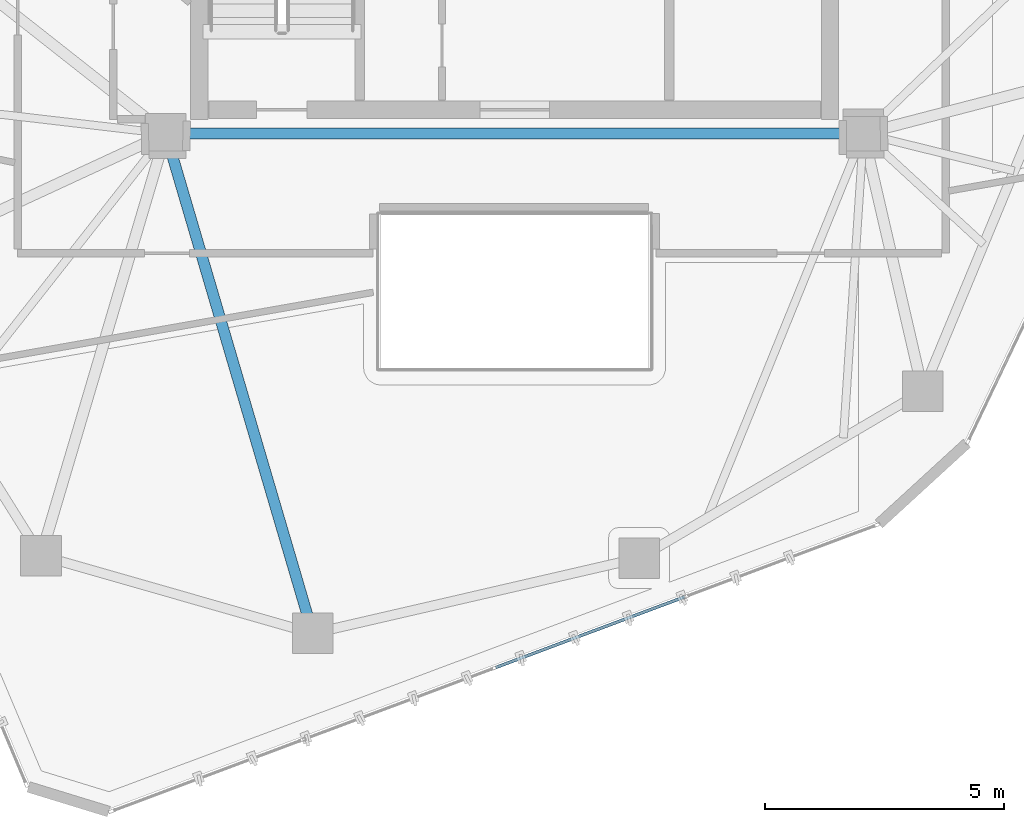
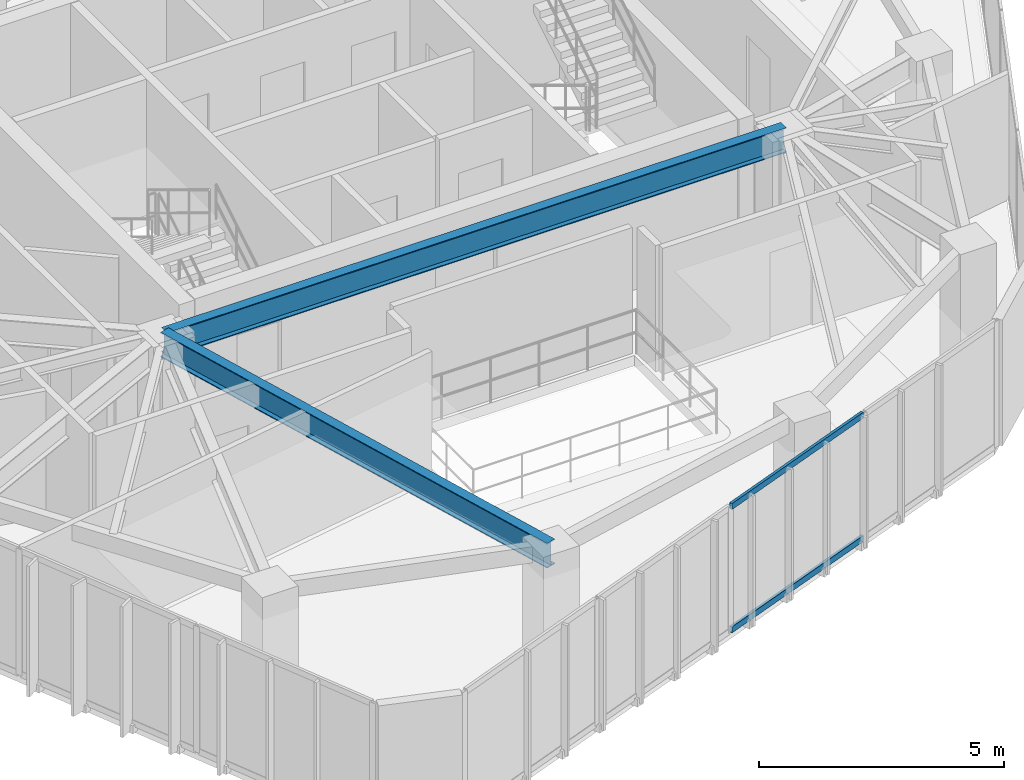
# One storey, part 5 of 20: 2 beams, 2 members, 1 element without a shape of its own.
"""IFC4 building model written with IfcOpenShell, lengths in metres."""

from ifc_helpers import new_model, si_unit, direction, frame, origin, origin_2d, place, context, subcontext, project, spatial, hollow_rectangle, i_section, extrude, source, transform, mapped, material, layer, layer_set, material_profile, profile_set, type_object, type_shapes, element, aggregate, save


model = new_model("IFC4")

# Units and contexts
model_context = context("Model", 3, precision=1e-05, world=origin(), true_north=direction((0.0, 1.0)))
body_context = subcontext(model_context, "Body", "Model", "MODEL_VIEW")
ifc_project = project(units=[si_unit("LENGTHUNIT", "METRE"), si_unit("AREAUNIT", "SQUARE_METRE"), si_unit("VOLUMEUNIT", "CUBIC_METRE"), si_unit("PLANEANGLEUNIT", "RADIAN"), si_unit("MASSUNIT", "GRAM", prefix="KILO")], contexts=[model_context])

# Site, building, storey
site_placement = place(None, origin())
site = spatial("IfcSite", under=ifc_project, at=site_placement, CompositionType="ELEMENT")
building_placement = place(site_placement, origin())
building = spatial("IfcBuilding", under=site, at=building_placement, Name="Talar Marvaseh", CompositionType="ELEMENT")
storey_placement = place(building_placement, frame((0.0, 0.0, 281.60009765625)))
storey = spatial("IfcBuildingStorey", under=building, at=storey_placement, Name="L75", CompositionType="ELEMENT", Elevation=281.60009765625)

# Beams
ifc_material_1 = material(Name="Steel S355", Category="steel")
ifc_material_profile_1 = material_profile(ifc_material_1, i_section(OverallWidth=0.22998046875, OverallDepth=0.616943359375, WebThickness=0.01318359375, FlangeThickness=0.022216796875, at=origin_2d()), Name="W610x140")
ifc_profile_set_1 = profile_set([ifc_material_profile_1], Name="Steel S355")
beam_type = type_object("IfcBeamType", Name="Zone 4 Radial Floor Girder W610x140", PredefinedType="BEAM", material=ifc_profile_set_1)
beam_1_placement = place(storey_placement, frame((18.699951171875, 25.5, 2.831298828125), z_axis=(1.0, 0.0, 0.0), x_axis=(0.0, 1.0, 0.0)))
element("IfcBeam", 1, at=beam_1_placement, inside=storey, type_object=beam_type, Name="L75 Zone 4 Radial Floor Girder W610x140", PredefinedType="BEAM", context=body_context, shape_type="SweptSolid", body=[
    extrude(i_section(OverallWidth=0.22998046875, OverallDepth=0.616943359375, WebThickness=0.01318359375, FlangeThickness=0.022216796875, at=origin_2d()), origin(), (0.0, 0.0, 1.0), 14.60009765625),
])
beam_2_placement = place(storey_placement, frame((21.77587890625, 15.0400390625, 2.831298828125), z_axis=(-0.28212146763, 0.959378693479, 0.0), x_axis=(-0.959378693479, -0.28212146763, 0.0)))
element("IfcBeam", 2, at=beam_2_placement, inside=storey, type_object=beam_type, Name="L75 Zone 4 Radial Floor Girder W610x140", PredefinedType="BEAM", context=body_context, shape_type="SweptSolid", body=[
    extrude(i_section(OverallWidth=0.22998046875, OverallDepth=0.616943359375, WebThickness=0.01318359375, FlangeThickness=0.022216796875, at=origin_2d()), origin(), (0.0, 0.0, 1.0), 10.90283203125),
])

# Curtain wall, members
ifc_material_2 = material(Name="Architectural Aluminium", Category="aluminium")
ifc_layer = layer(ifc_material_2, 0.179931640625)
ifc_layer_set = layer_set([ifc_layer], Name="Architectural Aluminium")
curtain_wall_type = type_object("IfcCurtainWallType", Name="Unitised High-Wind Sky Curtain Wall Z4", PredefinedType="NOTDEFINED", material=ifc_layer_set)
curtain_wall_placement = place(storey_placement, origin())
curtain_wall = element("IfcCurtainWall", 3, at=curtain_wall_placement, inside=storey, type_object=curtain_wall_type, Name="L75 Unitised High-Wind Sky Curtain Wall Z4", PredefinedType="NOTDEFINED")
ifc_material_profile_2 = material_profile(ifc_material_2, hollow_rectangle(XDim=0.06494140625, YDim=0.14990234375, WallThickness=0.00390625, at=origin_2d()), Name="RHS150x65x4")
ifc_profile_set_2 = profile_set([ifc_material_profile_2], Name="Architectural Aluminium")
member_type = type_object("IfcMemberType", Name="Unitised Curtain Wall Slim Transom RHS150x65x4", PredefinedType="USERDEFINED", material=ifc_profile_set_2)
shared_shape = source(origin(), body_context, "Body", "SweptSolid", [
    extrude(hollow_rectangle(XDim=0.06494140625, YDim=0.14990234375, WallThickness=0.00390625, at=origin_2d()), origin(), (0.0, 0.0, 1.0), 4.22119140625),
])
type_shapes(member_type, [shared_shape])
member_1_placement = place(storey_placement, frame((29.55712890625, 15.805419921875, 0.032470703125), z_axis=(-0.936609347788, -0.350375412431, 0.0), x_axis=(0.350375412431, -0.936609347788, 0.0)))
member_1 = element("IfcMember", 4, at=member_1_placement, type_object=member_type, Name="CW-Z4 transom 2.1", ObjectType="TRANSOM", PredefinedType="USERDEFINED", context=body_context, shape_type="MappedRepresentation", body=[
    mapped(shared_shape, transform((0.0, 0.0, 0.0), x_axis=(1.0, 0.0, 0.0), y_axis=(0.0, 1.0, 0.0), z_axis=(0.0, 0.0, 1.0), scale=1.0)),
])
member_2_placement = place(storey_placement, frame((29.55712890625, 15.805419921875, 3.107421875), z_axis=(-0.936609347788, -0.350375412431, 0.0), x_axis=(0.350375412431, -0.936609347788, 0.0)))
member_2 = element("IfcMember", 5, at=member_2_placement, type_object=member_type, Name="CW-Z4 transom 2.2", ObjectType="TRANSOM", PredefinedType="USERDEFINED", context=body_context, shape_type="MappedRepresentation", body=[
    mapped(shared_shape, transform((0.0, 0.0, 0.0), x_axis=(1.0, 0.0, 0.0), y_axis=(0.0, 1.0, 0.0), z_axis=(0.0, 0.0, 1.0), scale=1.0)),
])
aggregate(curtain_wall, [member_1, member_2])

save(model, "model.ifc")
